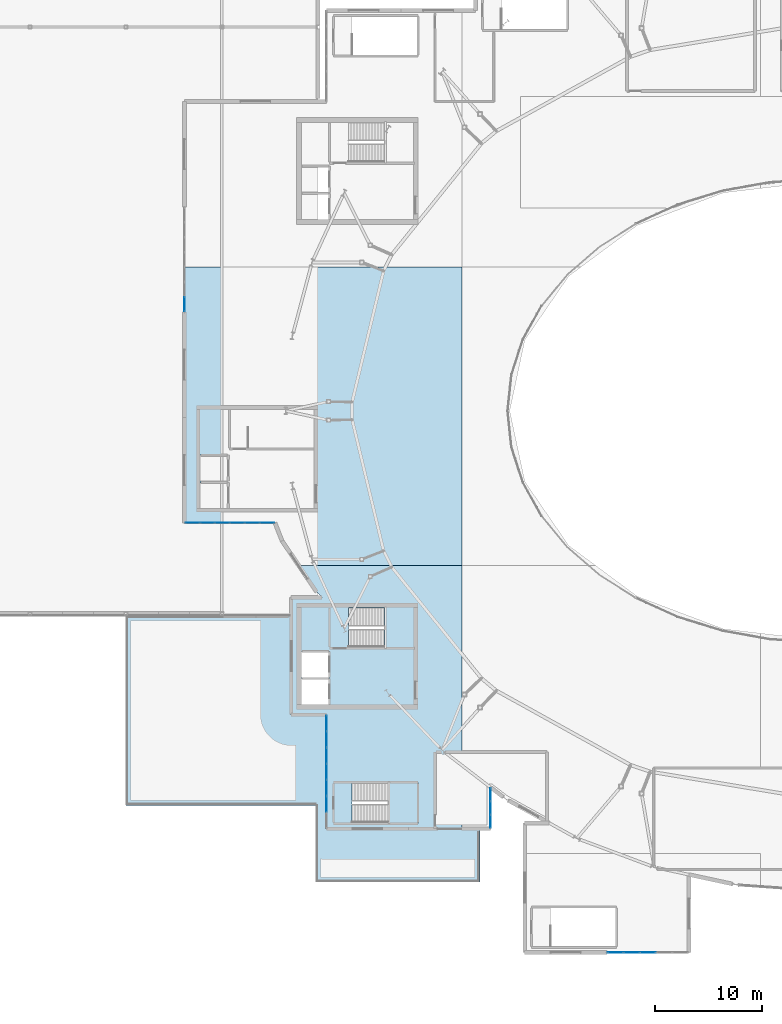
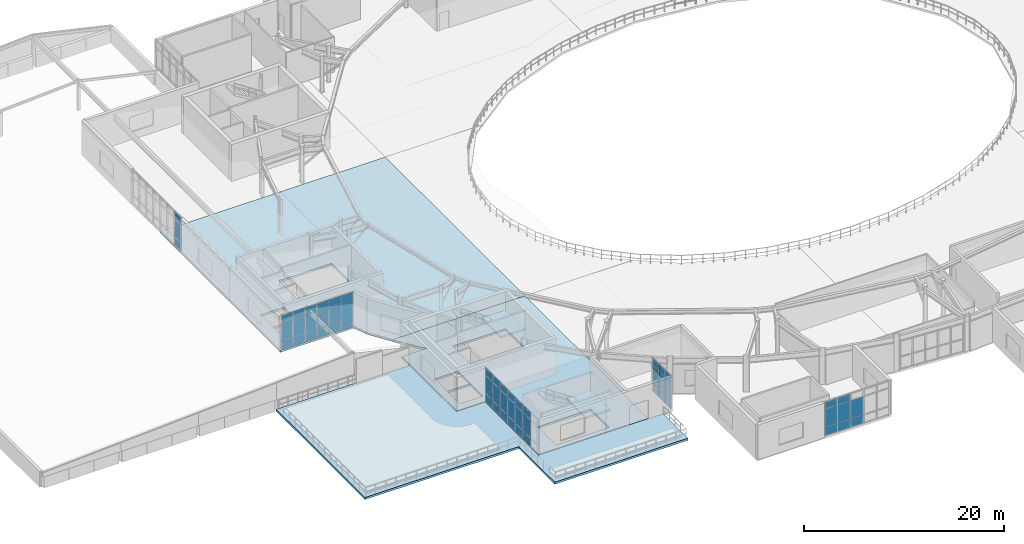
# One storey, part 31 of 48: 56 plates, 5 slabs, 7 elements without a shape of their own.
"""IFC4 building model written with IfcOpenShell, lengths in metres."""

from ifc_helpers import new_model, si_unit, direction, frame, origin, origin_2d, place, context, subcontext, project, spatial, polyline, rectangle, outline, extrude, material, layer, layer_set, type_object, element, aggregate, save


model = new_model("IFC4")

# Units and contexts
model_context = context("Model", 3, precision=1e-05, world=origin(), true_north=direction((0.0, 1.0)))
body_context = subcontext(model_context, "Body", "Model", "MODEL_VIEW")
ifc_project = project(units=[si_unit("LENGTHUNIT", "METRE"), si_unit("AREAUNIT", "SQUARE_METRE"), si_unit("VOLUMEUNIT", "CUBIC_METRE"), si_unit("PLANEANGLEUNIT", "RADIAN"), si_unit("MASSUNIT", "GRAM", prefix="KILO")], contexts=[model_context])

# Site, building, storey
site_placement = place(None, origin())
site = spatial("IfcSite", under=ifc_project, at=site_placement, CompositionType="ELEMENT")
building_placement = place(site_placement, origin())
building = spatial("IfcBuilding", under=site, at=building_placement, Name="Glasvene Arena", CompositionType="ELEMENT")
storey_placement = place(building_placement, frame((0.0, 0.0, 19.5)))
storey = spatial("IfcBuildingStorey", under=building, at=storey_placement, Name="L04", CompositionType="ELEMENT", Elevation=19.5)

# Curtain wall, plates
ifc_material_1 = material(Name="Low-emissivity laminated double glazing", Category="glass")
curtain_wall_type_1 = type_object("IfcCurtainWallType", Name="CW-FAC-L03-380x419", PredefinedType="USERDEFINED", material=ifc_material_1)
curtain_wall_1_placement = place(storey_placement, frame((61.199951171875, 37.638671875, 0.0)))
curtain_wall_1 = element("IfcCurtainWall", 1, at=curtain_wall_1_placement, inside=storey, type_object=curtain_wall_type_1, Name="Unitised curtain wall CW-F-L04-180-612-357-1", ObjectType="CURTAIN WALL", PredefinedType="USERDEFINED")
ifc_layer_1 = layer(ifc_material_1, 0.028076171875)
ifc_layer_set_1 = layer_set([ifc_layer_1], Name="Low-emissivity laminated double glazing")
plate_type = type_object("IfcPlateType", Name="CW-GLZ-28", PredefinedType="CURTAIN_PANEL", material=ifc_layer_set_1)
plate_1_placement = place(storey_placement, frame((61.199951171875, 36.992919921875, 0.10986328125), z_axis=(0.0, 0.0, 1.0), x_axis=(0.0, -1.0, 0.0)))
plate_1 = element("IfcPlate", 2, at=plate_1_placement, type_object=plate_type, Name="CW-044 panel 1.1", PredefinedType="CURTAIN_PANEL", context=body_context, shape_type="SweptSolid", body=[
    extrude(rectangle(XDim=1.191162109375, YDim=0.028076171875, at=origin_2d()), origin(), (0.0, 0.0, 1.0), 0.965087890625),
])
plate_2_placement = place(storey_placement, frame((61.199951171875, 36.992919921875, 1.125), z_axis=(0.0, 0.0, 1.0), x_axis=(0.0, -1.0, 0.0)))
plate_2 = element("IfcPlate", 3, at=plate_2_placement, type_object=plate_type, Name="CW-044 panel 1.2", PredefinedType="CURTAIN_PANEL", context=body_context, shape_type="SweptSolid", body=[
    extrude(rectangle(XDim=1.191162109375, YDim=0.028076171875, at=origin_2d()), origin(), (0.0, 0.0, 1.0), 2.199951171875),
])
plate_3_placement = place(storey_placement, frame((61.199951171875, 36.992919921875, 3.375), z_axis=(0.0, 0.0, 1.0), x_axis=(0.0, -1.0, 0.0)))
plate_3 = element("IfcPlate", 4, at=plate_3_placement, type_object=plate_type, Name="CW-044 panel 1.3", PredefinedType="CURTAIN_PANEL", context=body_context, shape_type="SweptSolid", body=[
    extrude(rectangle(XDim=1.191162109375, YDim=0.028076171875, at=origin_2d()), origin(), (0.0, 0.0, 1.0), 0.824951171875),
])
plate_4_placement = place(storey_placement, frame((61.199951171875, 35.7392578125, 0.10986328125), z_axis=(0.0, 0.0, 1.0), x_axis=(0.0, -1.0, 0.0)))
plate_4 = element("IfcPlate", 5, at=plate_4_placement, type_object=plate_type, Name="CW-044 panel 2.1", PredefinedType="CURTAIN_PANEL", context=body_context, shape_type="SweptSolid", body=[
    extrude(rectangle(XDim=1.21630859375, YDim=0.028076171875, at=origin_2d()), origin(), (0.0, 0.0, 1.0), 0.965087890625),
])
plate_5_placement = place(storey_placement, frame((61.199951171875, 35.7392578125, 1.125), z_axis=(0.0, 0.0, 1.0), x_axis=(0.0, -1.0, 0.0)))
plate_5 = element("IfcPlate", 6, at=plate_5_placement, type_object=plate_type, Name="CW-044 panel 2.2", PredefinedType="CURTAIN_PANEL", context=body_context, shape_type="SweptSolid", body=[
    extrude(rectangle(XDim=1.21630859375, YDim=0.028076171875, at=origin_2d()), origin(), (0.0, 0.0, 1.0), 2.199951171875),
])
plate_6_placement = place(storey_placement, frame((61.199951171875, 35.7392578125, 3.375), z_axis=(0.0, 0.0, 1.0), x_axis=(0.0, -1.0, 0.0)))
plate_6 = element("IfcPlate", 7, at=plate_6_placement, type_object=plate_type, Name="CW-044 panel 2.3", PredefinedType="CURTAIN_PANEL", context=body_context, shape_type="SweptSolid", body=[
    extrude(rectangle(XDim=1.21630859375, YDim=0.028076171875, at=origin_2d()), origin(), (0.0, 0.0, 1.0), 0.824951171875),
])
plate_7_placement = place(storey_placement, frame((61.199951171875, 34.485595703125, 0.10986328125), z_axis=(0.0, 0.0, 1.0), x_axis=(0.0, -1.0, 0.0)))
plate_7 = element("IfcPlate", 8, at=plate_7_placement, type_object=plate_type, Name="CW-044 panel 3.1", PredefinedType="CURTAIN_PANEL", context=body_context, shape_type="SweptSolid", body=[
    extrude(rectangle(XDim=1.191162109375, YDim=0.028076171875, at=origin_2d()), origin(), (0.0, 0.0, 1.0), 0.965087890625),
])
plate_8_placement = place(storey_placement, frame((61.199951171875, 34.485595703125, 1.125), z_axis=(0.0, 0.0, 1.0), x_axis=(0.0, -1.0, 0.0)))
plate_8 = element("IfcPlate", 9, at=plate_8_placement, type_object=plate_type, Name="CW-044 panel 3.2", PredefinedType="CURTAIN_PANEL", context=body_context, shape_type="SweptSolid", body=[
    extrude(rectangle(XDim=1.191162109375, YDim=0.028076171875, at=origin_2d()), origin(), (0.0, 0.0, 1.0), 2.199951171875),
])
plate_9_placement = place(storey_placement, frame((61.199951171875, 34.485595703125, 3.375), z_axis=(0.0, 0.0, 1.0), x_axis=(0.0, -1.0, 0.0)))
plate_9 = element("IfcPlate", 10, at=plate_9_placement, type_object=plate_type, Name="CW-044 panel 3.3", PredefinedType="CURTAIN_PANEL", context=body_context, shape_type="SweptSolid", body=[
    extrude(rectangle(XDim=1.191162109375, YDim=0.028076171875, at=origin_2d()), origin(), (0.0, 0.0, 1.0), 0.824951171875),
])
aggregate(curtain_wall_1, [plate_1, plate_2, plate_3, plate_4, plate_5, plate_6, plate_7, plate_8, plate_9])

curtain_wall_type_2 = type_object("IfcCurtainWallType", Name="CW-FAC-L03-1062x419", PredefinedType="USERDEFINED", material=ifc_material_1)
curtain_wall_2_placement = place(storey_placement, frame((45.800048828125, 33.840087890625, 0.0)))
curtain_wall_2 = element("IfcCurtainWall", 11, at=curtain_wall_2_placement, inside=storey, type_object=curtain_wall_type_2, Name="Unitised curtain wall CW-F-L04-180-458-392-4", ObjectType="CURTAIN WALL", PredefinedType="USERDEFINED")
plate_10_placement = place(storey_placement, frame((45.800048828125, 36.11572265625, 0.10986328125), z_axis=(0.0, 0.0, 1.0), x_axis=(0.0, 1.0, 0.0)))
plate_10 = element("IfcPlate", 12, at=plate_10_placement, type_object=plate_type, Name="CW-040 panel 2.1", PredefinedType="CURTAIN_PANEL", context=body_context, shape_type="SweptSolid", body=[
    extrude(rectangle(XDim=1.467041015625, YDim=0.028076171875, at=origin_2d()), origin(), (0.0, 0.0, 1.0), 0.965087890625),
])
plate_11_placement = place(storey_placement, frame((45.800048828125, 36.11572265625, 1.125), z_axis=(0.0, 0.0, 1.0), x_axis=(0.0, 1.0, 0.0)))
plate_11 = element("IfcPlate", 13, at=plate_11_placement, type_object=plate_type, Name="CW-040 panel 2.2", PredefinedType="CURTAIN_PANEL", context=body_context, shape_type="SweptSolid", body=[
    extrude(rectangle(XDim=1.467041015625, YDim=0.028076171875, at=origin_2d()), origin(), (0.0, 0.0, 1.0), 2.199951171875),
])
plate_12_placement = place(storey_placement, frame((45.800048828125, 36.11572265625, 3.375), z_axis=(0.0, 0.0, 1.0), x_axis=(0.0, 1.0, 0.0)))
plate_12 = element("IfcPlate", 14, at=plate_12_placement, type_object=plate_type, Name="CW-040 panel 2.3", PredefinedType="CURTAIN_PANEL", context=body_context, shape_type="SweptSolid", body=[
    extrude(rectangle(XDim=1.467041015625, YDim=0.028076171875, at=origin_2d()), origin(), (0.0, 0.0, 1.0), 0.824951171875),
])
plate_13_placement = place(storey_placement, frame((45.800048828125, 37.6328125, 0.10986328125), z_axis=(0.0, 0.0, 1.0), x_axis=(0.0, 1.0, 0.0)))
plate_13 = element("IfcPlate", 15, at=plate_13_placement, type_object=plate_type, Name="CW-040 panel 3.1", PredefinedType="CURTAIN_PANEL", context=body_context, shape_type="SweptSolid", body=[
    extrude(rectangle(XDim=1.467041015625, YDim=0.028076171875, at=origin_2d()), origin(), (0.0, 0.0, 1.0), 0.965087890625),
])
plate_14_placement = place(storey_placement, frame((45.800048828125, 37.6328125, 1.125), z_axis=(0.0, 0.0, 1.0), x_axis=(0.0, 1.0, 0.0)))
plate_14 = element("IfcPlate", 16, at=plate_14_placement, type_object=plate_type, Name="CW-040 panel 3.2", PredefinedType="CURTAIN_PANEL", context=body_context, shape_type="SweptSolid", body=[
    extrude(rectangle(XDim=1.467041015625, YDim=0.028076171875, at=origin_2d()), origin(), (0.0, 0.0, 1.0), 2.199951171875),
])
plate_15_placement = place(storey_placement, frame((45.800048828125, 37.6328125, 3.375), z_axis=(0.0, 0.0, 1.0), x_axis=(0.0, 1.0, 0.0)))
plate_15 = element("IfcPlate", 17, at=plate_15_placement, type_object=plate_type, Name="CW-040 panel 3.3", PredefinedType="CURTAIN_PANEL", context=body_context, shape_type="SweptSolid", body=[
    extrude(rectangle(XDim=1.467041015625, YDim=0.028076171875, at=origin_2d()), origin(), (0.0, 0.0, 1.0), 0.824951171875),
])
plate_16_placement = place(storey_placement, frame((45.800048828125, 39.14990234375, 0.10986328125), z_axis=(0.0, 0.0, 1.0), x_axis=(0.0, 1.0, 0.0)))
plate_16 = element("IfcPlate", 18, at=plate_16_placement, type_object=plate_type, Name="CW-040 panel 4.1", PredefinedType="CURTAIN_PANEL", context=body_context, shape_type="SweptSolid", body=[
    extrude(rectangle(XDim=1.467041015625, YDim=0.028076171875, at=origin_2d()), origin(), (0.0, 0.0, 1.0), 0.965087890625),
])
plate_17_placement = place(storey_placement, frame((45.800048828125, 39.14990234375, 1.125), z_axis=(0.0, 0.0, 1.0), x_axis=(0.0, 1.0, 0.0)))
plate_17 = element("IfcPlate", 19, at=plate_17_placement, type_object=plate_type, Name="CW-040 panel 4.2", PredefinedType="CURTAIN_PANEL", context=body_context, shape_type="SweptSolid", body=[
    extrude(rectangle(XDim=1.467041015625, YDim=0.028076171875, at=origin_2d()), origin(), (0.0, 0.0, 1.0), 2.199951171875),
])
plate_18_placement = place(storey_placement, frame((45.800048828125, 39.14990234375, 3.375), z_axis=(0.0, 0.0, 1.0), x_axis=(0.0, 1.0, 0.0)))
plate_18 = element("IfcPlate", 20, at=plate_18_placement, type_object=plate_type, Name="CW-040 panel 4.3", PredefinedType="CURTAIN_PANEL", context=body_context, shape_type="SweptSolid", body=[
    extrude(rectangle(XDim=1.467041015625, YDim=0.028076171875, at=origin_2d()), origin(), (0.0, 0.0, 1.0), 0.824951171875),
])
plate_19_placement = place(storey_placement, frame((45.800048828125, 40.667236328125, 0.10986328125), z_axis=(0.0, 0.0, 1.0), x_axis=(0.0, 1.0, 0.0)))
plate_19 = element("IfcPlate", 21, at=plate_19_placement, type_object=plate_type, Name="CW-040 panel 5.1", PredefinedType="CURTAIN_PANEL", context=body_context, shape_type="SweptSolid", body=[
    extrude(rectangle(XDim=1.467041015625, YDim=0.028076171875, at=origin_2d()), origin(), (0.0, 0.0, 1.0), 0.965087890625),
])
plate_20_placement = place(storey_placement, frame((45.800048828125, 40.667236328125, 1.125), z_axis=(0.0, 0.0, 1.0), x_axis=(0.0, 1.0, 0.0)))
plate_20 = element("IfcPlate", 22, at=plate_20_placement, type_object=plate_type, Name="CW-040 panel 5.2", PredefinedType="CURTAIN_PANEL", context=body_context, shape_type="SweptSolid", body=[
    extrude(rectangle(XDim=1.467041015625, YDim=0.028076171875, at=origin_2d()), origin(), (0.0, 0.0, 1.0), 2.199951171875),
])
plate_21_placement = place(storey_placement, frame((45.800048828125, 40.667236328125, 3.375), z_axis=(0.0, 0.0, 1.0), x_axis=(0.0, 1.0, 0.0)))
plate_21 = element("IfcPlate", 23, at=plate_21_placement, type_object=plate_type, Name="CW-040 panel 5.3", PredefinedType="CURTAIN_PANEL", context=body_context, shape_type="SweptSolid", body=[
    extrude(rectangle(XDim=1.467041015625, YDim=0.028076171875, at=origin_2d()), origin(), (0.0, 0.0, 1.0), 0.824951171875),
])
plate_22_placement = place(storey_placement, frame((45.800048828125, 42.184326171875, 0.10986328125), z_axis=(0.0, 0.0, 1.0), x_axis=(0.0, 1.0, 0.0)))
plate_22 = element("IfcPlate", 24, at=plate_22_placement, type_object=plate_type, Name="CW-040 panel 6.1", PredefinedType="CURTAIN_PANEL", context=body_context, shape_type="SweptSolid", body=[
    extrude(rectangle(XDim=1.467041015625, YDim=0.028076171875, at=origin_2d()), origin(), (0.0, 0.0, 1.0), 0.965087890625),
])
plate_23_placement = place(storey_placement, frame((45.800048828125, 42.184326171875, 1.125), z_axis=(0.0, 0.0, 1.0), x_axis=(0.0, 1.0, 0.0)))
plate_23 = element("IfcPlate", 25, at=plate_23_placement, type_object=plate_type, Name="CW-040 panel 6.2", PredefinedType="CURTAIN_PANEL", context=body_context, shape_type="SweptSolid", body=[
    extrude(rectangle(XDim=1.467041015625, YDim=0.028076171875, at=origin_2d()), origin(), (0.0, 0.0, 1.0), 2.199951171875),
])
plate_24_placement = place(storey_placement, frame((45.800048828125, 42.184326171875, 3.375), z_axis=(0.0, 0.0, 1.0), x_axis=(0.0, 1.0, 0.0)))
plate_24 = element("IfcPlate", 26, at=plate_24_placement, type_object=plate_type, Name="CW-040 panel 6.3", PredefinedType="CURTAIN_PANEL", context=body_context, shape_type="SweptSolid", body=[
    extrude(rectangle(XDim=1.467041015625, YDim=0.028076171875, at=origin_2d()), origin(), (0.0, 0.0, 1.0), 0.824951171875),
])
plate_25_placement = place(storey_placement, frame((45.800048828125, 43.68896484375, 0.10986328125), z_axis=(0.0, 0.0, 1.0), x_axis=(0.0, 1.0, 0.0)))
plate_25 = element("IfcPlate", 27, at=plate_25_placement, type_object=plate_type, Name="CW-040 panel 7.1", PredefinedType="CURTAIN_PANEL", context=body_context, shape_type="SweptSolid", body=[
    extrude(rectangle(XDim=1.442138671875, YDim=0.028076171875, at=origin_2d()), origin(), (0.0, 0.0, 1.0), 0.965087890625),
])
plate_26_placement = place(storey_placement, frame((45.800048828125, 43.68896484375, 1.125), z_axis=(0.0, 0.0, 1.0), x_axis=(0.0, 1.0, 0.0)))
plate_26 = element("IfcPlate", 28, at=plate_26_placement, type_object=plate_type, Name="CW-040 panel 7.2", PredefinedType="CURTAIN_PANEL", context=body_context, shape_type="SweptSolid", body=[
    extrude(rectangle(XDim=1.442138671875, YDim=0.028076171875, at=origin_2d()), origin(), (0.0, 0.0, 1.0), 2.199951171875),
])
plate_27_placement = place(storey_placement, frame((45.800048828125, 43.68896484375, 3.375), z_axis=(0.0, 0.0, 1.0), x_axis=(0.0, 1.0, 0.0)))
plate_27 = element("IfcPlate", 29, at=plate_27_placement, type_object=plate_type, Name="CW-040 panel 7.3", PredefinedType="CURTAIN_PANEL", context=body_context, shape_type="SweptSolid", body=[
    extrude(rectangle(XDim=1.442138671875, YDim=0.028076171875, at=origin_2d()), origin(), (0.0, 0.0, 1.0), 0.824951171875),
])
aggregate(curtain_wall_2, [plate_10, plate_11, plate_12, plate_13, plate_14, plate_15, plate_16, plate_17, plate_18, plate_19, plate_20, plate_21, plate_22, plate_23, plate_24, plate_25, plate_26, plate_27])

curtain_wall_type_3 = type_object("IfcCurtainWallType", Name="CW-FAC-L04-840x419", PredefinedType="USERDEFINED", material=ifc_material_1)
curtain_wall_3_placement = place(storey_placement, frame((40.93603515625, 62.5, 0.0)))
curtain_wall_3 = element("IfcCurtainWall", 30, at=curtain_wall_3_placement, inside=storey, type_object=curtain_wall_type_3, Name="Unitised curtain wall CW-F-L04-180-367-625-10", ObjectType="CURTAIN WALL", PredefinedType="USERDEFINED")
plate_28_placement = place(storey_placement, frame((40.223876953125, 62.5, 0.10986328125), z_axis=(0.0, 0.0, 1.0), x_axis=(-1.0, 0.0, 0.0)))
plate_28 = element("IfcPlate", 31, at=plate_28_placement, type_object=plate_type, Name="CW-046 panel 1.1", PredefinedType="CURTAIN_PANEL", context=body_context, shape_type="SweptSolid", body=[
    extrude(rectangle(XDim=1.32421875, YDim=0.028076171875, at=origin_2d()), origin(), (0.0, 0.0, 1.0), 0.965087890625),
])
plate_29_placement = place(storey_placement, frame((40.223876953125, 62.5, 1.125), z_axis=(0.0, 0.0, 1.0), x_axis=(-1.0, 0.0, 0.0)))
plate_29 = element("IfcPlate", 32, at=plate_29_placement, type_object=plate_type, Name="CW-046 panel 1.2", PredefinedType="CURTAIN_PANEL", context=body_context, shape_type="SweptSolid", body=[
    extrude(rectangle(XDim=1.32421875, YDim=0.028076171875, at=origin_2d()), origin(), (0.0, 0.0, 1.0), 2.199951171875),
])
plate_30_placement = place(storey_placement, frame((40.223876953125, 62.5, 3.375), z_axis=(0.0, 0.0, 1.0), x_axis=(-1.0, 0.0, 0.0)))
plate_30 = element("IfcPlate", 33, at=plate_30_placement, type_object=plate_type, Name="CW-046 panel 1.3", PredefinedType="CURTAIN_PANEL", context=body_context, shape_type="SweptSolid", body=[
    extrude(rectangle(XDim=1.32421875, YDim=0.028076171875, at=origin_2d()), origin(), (0.0, 0.0, 1.0), 0.824951171875),
])
plate_31_placement = place(storey_placement, frame((38.8369140625, 62.5, 0.10986328125), z_axis=(0.0, 0.0, 1.0), x_axis=(-1.0, 0.0, 0.0)))
plate_31 = element("IfcPlate", 34, at=plate_31_placement, type_object=plate_type, Name="CW-046 panel 2.1", PredefinedType="CURTAIN_PANEL", context=body_context, shape_type="SweptSolid", body=[
    extrude(rectangle(XDim=1.349365234375, YDim=0.028076171875, at=origin_2d()), origin(), (0.0, 0.0, 1.0), 0.965087890625),
])
plate_32_placement = place(storey_placement, frame((38.8369140625, 62.5, 1.125), z_axis=(0.0, 0.0, 1.0), x_axis=(-1.0, 0.0, 0.0)))
plate_32 = element("IfcPlate", 35, at=plate_32_placement, type_object=plate_type, Name="CW-046 panel 2.2", PredefinedType="CURTAIN_PANEL", context=body_context, shape_type="SweptSolid", body=[
    extrude(rectangle(XDim=1.349365234375, YDim=0.028076171875, at=origin_2d()), origin(), (0.0, 0.0, 1.0), 2.199951171875),
])
plate_33_placement = place(storey_placement, frame((38.8369140625, 62.5, 3.375), z_axis=(0.0, 0.0, 1.0), x_axis=(-1.0, 0.0, 0.0)))
plate_33 = element("IfcPlate", 36, at=plate_33_placement, type_object=plate_type, Name="CW-046 panel 2.3", PredefinedType="CURTAIN_PANEL", context=body_context, shape_type="SweptSolid", body=[
    extrude(rectangle(XDim=1.349365234375, YDim=0.028076171875, at=origin_2d()), origin(), (0.0, 0.0, 1.0), 0.824951171875),
])
plate_34_placement = place(storey_placement, frame((37.437744140625, 62.5, 0.10986328125), z_axis=(0.0, 0.0, 1.0), x_axis=(-1.0, 0.0, 0.0)))
plate_34 = element("IfcPlate", 37, at=plate_34_placement, type_object=plate_type, Name="CW-046 panel 3.1", PredefinedType="CURTAIN_PANEL", context=body_context, shape_type="SweptSolid", body=[
    extrude(rectangle(XDim=1.349365234375, YDim=0.028076171875, at=origin_2d()), origin(), (0.0, 0.0, 1.0), 0.965087890625),
])
plate_35_placement = place(storey_placement, frame((37.437744140625, 62.5, 1.125), z_axis=(0.0, 0.0, 1.0), x_axis=(-1.0, 0.0, 0.0)))
plate_35 = element("IfcPlate", 38, at=plate_35_placement, type_object=plate_type, Name="CW-046 panel 3.2", PredefinedType="CURTAIN_PANEL", context=body_context, shape_type="SweptSolid", body=[
    extrude(rectangle(XDim=1.349365234375, YDim=0.028076171875, at=origin_2d()), origin(), (0.0, 0.0, 1.0), 2.199951171875),
])
plate_36_placement = place(storey_placement, frame((37.437744140625, 62.5, 3.375), z_axis=(0.0, 0.0, 1.0), x_axis=(-1.0, 0.0, 0.0)))
plate_36 = element("IfcPlate", 39, at=plate_36_placement, type_object=plate_type, Name="CW-046 panel 3.3", PredefinedType="CURTAIN_PANEL", context=body_context, shape_type="SweptSolid", body=[
    extrude(rectangle(XDim=1.349365234375, YDim=0.028076171875, at=origin_2d()), origin(), (0.0, 0.0, 1.0), 0.824951171875),
])
plate_37_placement = place(storey_placement, frame((36.038330078125, 62.5, 0.10986328125), z_axis=(0.0, 0.0, 1.0), x_axis=(-1.0, 0.0, 0.0)))
plate_37 = element("IfcPlate", 40, at=plate_37_placement, type_object=plate_type, Name="CW-046 panel 4.1", PredefinedType="CURTAIN_PANEL", context=body_context, shape_type="SweptSolid", body=[
    extrude(rectangle(XDim=1.349365234375, YDim=0.028076171875, at=origin_2d()), origin(), (0.0, 0.0, 1.0), 0.965087890625),
])
plate_38_placement = place(storey_placement, frame((36.038330078125, 62.5, 1.125), z_axis=(0.0, 0.0, 1.0), x_axis=(-1.0, 0.0, 0.0)))
plate_38 = element("IfcPlate", 41, at=plate_38_placement, type_object=plate_type, Name="CW-046 panel 4.2", PredefinedType="CURTAIN_PANEL", context=body_context, shape_type="SweptSolid", body=[
    extrude(rectangle(XDim=1.349365234375, YDim=0.028076171875, at=origin_2d()), origin(), (0.0, 0.0, 1.0), 2.199951171875),
])
plate_39_placement = place(storey_placement, frame((36.038330078125, 62.5, 3.375), z_axis=(0.0, 0.0, 1.0), x_axis=(-1.0, 0.0, 0.0)))
plate_39 = element("IfcPlate", 42, at=plate_39_placement, type_object=plate_type, Name="CW-046 panel 4.3", PredefinedType="CURTAIN_PANEL", context=body_context, shape_type="SweptSolid", body=[
    extrude(rectangle(XDim=1.349365234375, YDim=0.028076171875, at=origin_2d()), origin(), (0.0, 0.0, 1.0), 0.824951171875),
])
plate_40_placement = place(storey_placement, frame((34.638916015625, 62.5, 0.10986328125), z_axis=(0.0, 0.0, 1.0), x_axis=(-1.0, 0.0, 0.0)))
plate_40 = element("IfcPlate", 43, at=plate_40_placement, type_object=plate_type, Name="CW-046 panel 5.1", PredefinedType="CURTAIN_PANEL", context=body_context, shape_type="SweptSolid", body=[
    extrude(rectangle(XDim=1.349365234375, YDim=0.028076171875, at=origin_2d()), origin(), (0.0, 0.0, 1.0), 0.965087890625),
])
plate_41_placement = place(storey_placement, frame((34.638916015625, 62.5, 1.125), z_axis=(0.0, 0.0, 1.0), x_axis=(-1.0, 0.0, 0.0)))
plate_41 = element("IfcPlate", 44, at=plate_41_placement, type_object=plate_type, Name="CW-046 panel 5.2", PredefinedType="CURTAIN_PANEL", context=body_context, shape_type="SweptSolid", body=[
    extrude(rectangle(XDim=1.349365234375, YDim=0.028076171875, at=origin_2d()), origin(), (0.0, 0.0, 1.0), 2.199951171875),
])
plate_42_placement = place(storey_placement, frame((34.638916015625, 62.5, 3.375), z_axis=(0.0, 0.0, 1.0), x_axis=(-1.0, 0.0, 0.0)))
plate_42 = element("IfcPlate", 45, at=plate_42_placement, type_object=plate_type, Name="CW-046 panel 5.3", PredefinedType="CURTAIN_PANEL", context=body_context, shape_type="SweptSolid", body=[
    extrude(rectangle(XDim=1.349365234375, YDim=0.028076171875, at=origin_2d()), origin(), (0.0, 0.0, 1.0), 0.824951171875),
])
plate_43_placement = place(storey_placement, frame((33.252197265625, 62.5, 0.10986328125), z_axis=(0.0, 0.0, 1.0), x_axis=(-1.0, 0.0, 0.0)))
plate_43 = element("IfcPlate", 46, at=plate_43_placement, type_object=plate_type, Name="CW-046 panel 6.1", PredefinedType="CURTAIN_PANEL", context=body_context, shape_type="SweptSolid", body=[
    extrude(rectangle(XDim=1.32421875, YDim=0.028076171875, at=origin_2d()), origin(), (0.0, 0.0, 1.0), 0.965087890625),
])
plate_44_placement = place(storey_placement, frame((33.252197265625, 62.5, 1.125), z_axis=(0.0, 0.0, 1.0), x_axis=(-1.0, 0.0, 0.0)))
plate_44 = element("IfcPlate", 47, at=plate_44_placement, type_object=plate_type, Name="CW-046 panel 6.2", PredefinedType="CURTAIN_PANEL", context=body_context, shape_type="SweptSolid", body=[
    extrude(rectangle(XDim=1.32421875, YDim=0.028076171875, at=origin_2d()), origin(), (0.0, 0.0, 1.0), 2.199951171875),
])
plate_45_placement = place(storey_placement, frame((33.252197265625, 62.5, 3.375), z_axis=(0.0, 0.0, 1.0), x_axis=(-1.0, 0.0, 0.0)))
plate_45 = element("IfcPlate", 48, at=plate_45_placement, type_object=plate_type, Name="CW-046 panel 6.3", PredefinedType="CURTAIN_PANEL", context=body_context, shape_type="SweptSolid", body=[
    extrude(rectangle(XDim=1.32421875, YDim=0.028076171875, at=origin_2d()), origin(), (0.0, 0.0, 1.0), 0.824951171875),
])
aggregate(curtain_wall_3, [plate_28, plate_29, plate_30, plate_31, plate_32, plate_33, plate_34, plate_35, plate_36, plate_37, plate_38, plate_39, plate_40, plate_41, plate_42, plate_43, plate_44, plate_45])

curtain_wall_type_4 = type_object("IfcCurtainWallType", Name="CW-FAC-L04-980x419", PredefinedType="USERDEFINED", material=ifc_material_1)
curtain_wall_4_placement = place(storey_placement, frame((32.5, 82.2900390625, 0.0)))
curtain_wall_4 = element("IfcCurtainWall", 49, at=curtain_wall_4_placement, inside=storey, type_object=curtain_wall_type_4, Name="Unitised curtain wall CW-F-L04-180-325-872-13", ObjectType="CURTAIN WALL", PredefinedType="USERDEFINED")
plate_46_placement = place(storey_placement, frame((32.5, 83.002197265625, 0.10986328125), z_axis=(0.0, 0.0, 1.0), x_axis=(0.0, 1.0, 0.0)))
plate_46 = element("IfcPlate", 50, at=plate_46_placement, type_object=plate_type, Name="CW-047 panel 1.1", PredefinedType="CURTAIN_PANEL", context=body_context, shape_type="SweptSolid", body=[
    extrude(rectangle(XDim=1.32421875, YDim=0.028076171875, at=origin_2d()), origin(), (0.0, 0.0, 1.0), 0.965087890625),
])
plate_47_placement = place(storey_placement, frame((32.5, 83.002197265625, 1.125), z_axis=(0.0, 0.0, 1.0), x_axis=(0.0, 1.0, 0.0)))
plate_47 = element("IfcPlate", 51, at=plate_47_placement, type_object=plate_type, Name="CW-047 panel 1.2", PredefinedType="CURTAIN_PANEL", context=body_context, shape_type="SweptSolid", body=[
    extrude(rectangle(XDim=1.32421875, YDim=0.028076171875, at=origin_2d()), origin(), (0.0, 0.0, 1.0), 2.199951171875),
])
plate_48_placement = place(storey_placement, frame((32.5, 83.002197265625, 3.375), z_axis=(0.0, 0.0, 1.0), x_axis=(0.0, 1.0, 0.0)))
plate_48 = element("IfcPlate", 52, at=plate_48_placement, type_object=plate_type, Name="CW-047 panel 1.3", PredefinedType="CURTAIN_PANEL", context=body_context, shape_type="SweptSolid", body=[
    extrude(rectangle(XDim=1.32421875, YDim=0.028076171875, at=origin_2d()), origin(), (0.0, 0.0, 1.0), 0.824951171875),
])
aggregate(curtain_wall_4, [plate_46, plate_47, plate_48])

curtain_wall_type_5 = type_object("IfcCurtainWallType", Name="CW-FAC-L03-762x419", PredefinedType="USERDEFINED", material=ifc_material_1)
curtain_wall_5_placement = place(storey_placement, frame((79.760009765625, 22.199951171875, 0.0)))
curtain_wall_5 = element("IfcCurtainWall", 53, at=curtain_wall_5_placement, inside=storey, type_object=curtain_wall_type_5, Name="Unitised curtain wall CW-F-L04-180-759-222-61", ObjectType="CURTAIN WALL", PredefinedType="USERDEFINED")
plate_49_placement = place(storey_placement, frame((75.949951171875, 22.199951171875, 0.10986328125), z_axis=(0.0, 0.0, 1.0), x_axis=(-1.0, 0.0, 0.0)))
plate_49 = element("IfcPlate", 54, at=plate_49_placement, type_object=plate_type, Name="CW-043 panel 3.1", PredefinedType="CURTAIN_PANEL", context=body_context, shape_type="SweptSolid", body=[
    extrude(rectangle(XDim=1.47412109375, YDim=0.028076171875, at=origin_2d()), origin(), (0.0, 0.0, 1.0), 0.965087890625),
])
plate_50_placement = place(storey_placement, frame((75.949951171875, 22.199951171875, 1.125), z_axis=(0.0, 0.0, 1.0), x_axis=(-1.0, 0.0, 0.0)))
plate_50 = element("IfcPlate", 55, at=plate_50_placement, type_object=plate_type, Name="CW-043 panel 3.2", PredefinedType="CURTAIN_PANEL", context=body_context, shape_type="SweptSolid", body=[
    extrude(rectangle(XDim=1.47412109375, YDim=0.028076171875, at=origin_2d()), origin(), (0.0, 0.0, 1.0), 2.199951171875),
])
plate_51_placement = place(storey_placement, frame((74.426025390625, 22.199951171875, 0.10986328125), z_axis=(0.0, 0.0, 1.0), x_axis=(-1.0, 0.0, 0.0)))
plate_51 = element("IfcPlate", 56, at=plate_51_placement, type_object=plate_type, Name="CW-043 panel 4.1", PredefinedType="CURTAIN_PANEL", context=body_context, shape_type="SweptSolid", body=[
    extrude(rectangle(XDim=1.47412109375, YDim=0.028076171875, at=origin_2d()), origin(), (0.0, 0.0, 1.0), 0.965087890625),
])
plate_52_placement = place(storey_placement, frame((74.426025390625, 22.199951171875, 1.125), z_axis=(0.0, 0.0, 1.0), x_axis=(-1.0, 0.0, 0.0)))
plate_52 = element("IfcPlate", 57, at=plate_52_placement, type_object=plate_type, Name="CW-043 panel 4.2", PredefinedType="CURTAIN_PANEL", context=body_context, shape_type="SweptSolid", body=[
    extrude(rectangle(XDim=1.47412109375, YDim=0.028076171875, at=origin_2d()), origin(), (0.0, 0.0, 1.0), 2.199951171875),
])
plate_53_placement = place(storey_placement, frame((74.426025390625, 22.199951171875, 3.375), z_axis=(0.0, 0.0, 1.0), x_axis=(-1.0, 0.0, 0.0)))
plate_53 = element("IfcPlate", 58, at=plate_53_placement, type_object=plate_type, Name="CW-043 panel 4.3", PredefinedType="CURTAIN_PANEL", context=body_context, shape_type="SweptSolid", body=[
    extrude(rectangle(XDim=1.47412109375, YDim=0.028076171875, at=origin_2d()), origin(), (0.0, 0.0, 1.0), 0.824951171875),
])
plate_54_placement = place(storey_placement, frame((72.91455078125, 22.199951171875, 0.10986328125), z_axis=(0.0, 0.0, 1.0), x_axis=(-1.0, 0.0, 0.0)))
plate_54 = element("IfcPlate", 59, at=plate_54_placement, type_object=plate_type, Name="CW-043 panel 5.1", PredefinedType="CURTAIN_PANEL", context=body_context, shape_type="SweptSolid", body=[
    extrude(rectangle(XDim=1.448974609375, YDim=0.028076171875, at=origin_2d()), origin(), (0.0, 0.0, 1.0), 0.965087890625),
])
plate_55_placement = place(storey_placement, frame((72.91455078125, 22.199951171875, 1.125), z_axis=(0.0, 0.0, 1.0), x_axis=(-1.0, 0.0, 0.0)))
plate_55 = element("IfcPlate", 60, at=plate_55_placement, type_object=plate_type, Name="CW-043 panel 5.2", PredefinedType="CURTAIN_PANEL", context=body_context, shape_type="SweptSolid", body=[
    extrude(rectangle(XDim=1.448974609375, YDim=0.028076171875, at=origin_2d()), origin(), (0.0, 0.0, 1.0), 2.199951171875),
])
plate_56_placement = place(storey_placement, frame((72.91455078125, 22.199951171875, 3.375), z_axis=(0.0, 0.0, 1.0), x_axis=(-1.0, 0.0, 0.0)))
plate_56 = element("IfcPlate", 61, at=plate_56_placement, type_object=plate_type, Name="CW-043 panel 5.3", PredefinedType="CURTAIN_PANEL", context=body_context, shape_type="SweptSolid", body=[
    extrude(rectangle(XDim=1.448974609375, YDim=0.028076171875, at=origin_2d()), origin(), (0.0, 0.0, 1.0), 0.824951171875),
])
aggregate(curtain_wall_5, [plate_49, plate_50, plate_51, plate_52, plate_53, plate_54, plate_55, plate_56])

# Stair, slab
ifc_material_2 = material(Name="Concrete C40/50", Category="concrete")
stair_type = type_object("IfcStairType", Name="ST-HT-450-170", PredefinedType="HALF_TURN_STAIR", material=ifc_material_2)
stair_1_placement = place(storey_placement, origin())
stair_1 = element("IfcStair", 62, at=stair_1_placement, inside=storey, type_object=stair_type, Name="Protected escape stair ST-03 (L04 to L05)", PredefinedType="HALF_TURN_STAIR")
ifc_layer_2 = layer(ifc_material_2, 0.219970703125)
ifc_layer_set_2 = layer_set([ifc_layer_2], Name="Concrete C40/50")
slab_type_1 = type_object("IfcSlabType", Name="SL-LAND-220", PredefinedType="LANDING", material=ifc_layer_set_2)
slab_1_placement = place(storey_placement, frame((52.6298828125, 52.675048828125, 2.030029296875)))
slab_1 = element("IfcSlab", 63, at=slab_1_placement, type_object=slab_type_1, Name="Protected escape stair ST-03 (L04 to L05) landing 1", PredefinedType="LANDING", context=body_context, shape_type="SweptSolid", body=[
    extrude(outline(polyline([(-1.419921875, -1.925048828125), (1.420166015625, -1.925048828125), (1.420166015625, 1.925048828125), (-1.419921875, 1.925048828125), (-1.419921875, -1.925048828125)])), origin(), (0.0, 0.0, 1.0), 0.219970703125),
])
aggregate(stair_1, [slab_1])

stair_2_placement = place(storey_placement, origin())
stair_2 = element("IfcStair", 64, at=stair_2_placement, inside=storey, type_object=stair_type, Name="Protected escape stair ST-05 (L04 to L05)", PredefinedType="HALF_TURN_STAIR")
slab_2_placement = place(storey_placement, frame((52.97998046875, 36.22509765625, 2.030029296875)))
slab_2 = element("IfcSlab", 65, at=slab_2_placement, type_object=slab_type_1, Name="Protected escape stair ST-05 (L04 to L05) landing 1", PredefinedType="LANDING", context=body_context, shape_type="SweptSolid", body=[
    extrude(outline(polyline([(-1.419921875, -1.925048828125), (1.419921875, -1.925048828125), (1.419921875, 1.9248046875), (-1.419921875, 1.9248046875), (-1.419921875, -1.925048828125)])), origin(), (0.0, 0.0, 1.0), 0.219970703125),
])
aggregate(stair_2, [slab_2])

# Slabs
ifc_layer_3 = layer(ifc_material_2, 0.25)
ifc_layer_set_3 = layer_set([ifc_layer_3], Name="Concrete C40/50")
slab_type_2 = type_object("IfcSlabType", Name="SL-TERR-250", PredefinedType="FLOOR", material=ifc_layer_set_3)
slab_3_placement = place(storey_placement, frame((44.0751953125, 39.277587890625, -0.25)))
element("IfcSlab", 66, at=slab_3_placement, inside=storey, type_object=slab_type_2, Name="Planted limestone terrace slab TR-L04-STEP3-1", PredefinedType="FLOOR", context=body_context, shape_type="SweptSolid", body=[
    extrude(outline(polyline([(0.724853515625, -10.4775390625), (0.724853515625, -3.277587890625), (-17.0751953125, -3.277587890625), (-17.0751953125, 14.5224609375), (-1.615234375, 14.5224609375), (-1.615234375, 5.222412109375), (-1.610595703125, 5.20361328125), (-1.597412109375, 5.189208984375), (-1.5830078125, 5.18310546875), (1.684814453125, 5.182373046875), (1.684814453125, -5.4775390625), (1.689453125, -5.49658203125), (1.699462890625, -5.508544921875), (1.713134765625, -5.515869140625), (16.124755859375, -5.517578125), (16.124755859375, -10.4775390625), (0.724853515625, -10.4775390625)])), origin(), (0.0, 0.0, 1.0), 0.25),
])
ifc_layer_4 = layer(ifc_material_2, 0.25)
ifc_layer_set_4 = layer_set([ifc_layer_4], Name="Concrete C40/50")
slab_type_3 = type_object("IfcSlabType", Name="SL-UPPER-250", PredefinedType="FLOOR", material=ifc_layer_set_4)
slab_4_placement = place(storey_placement, frame((47.454833984375, 48.95751953125, -0.25)))
element("IfcSlab", 67, at=slab_4_placement, inside=storey, type_object=slab_type_3, Name="Structural floor slab L04 sector 2-2 (104)", PredefinedType="FLOOR", context=body_context, shape_type="SweptSolid", body=[
    extrude(outline(polyline([(-1.65478515625, -4.45751953125), (-4.954833984375, -4.45751953125), (-4.954833984375, 6.54248046875), (-2.049560546875, 6.54248046875), (-2.5693359375, 7.060791015625), (-4.251220703125, 9.54248046875), (11.045166015625, 9.54248046875), (11.045166015625, -15.157470703125), (-1.65478515625, -15.157470703125), (-1.65478515625, -4.45751953125)]), holes=[polyline([(6.84521484375, -10.907470703125), (0.7470703125, -10.907470703125), (0.7470703125, -14.5576171875), (6.84521484375, -14.5576171875), (6.84521484375, -10.907470703125)]), polyline([(-1.354736328125, -1.0576171875), (-4.0048828125, -1.0576171875), (-4.0048828125, -3.507568359375), (-1.354736328125, -3.507568359375), (-1.354736328125, -1.0576171875)]), polyline([(-1.354736328125, 1.492431640625), (-4.0048828125, 1.492431640625), (-4.0048828125, -0.95751953125), (-1.354736328125, -0.95751953125), (-1.354736328125, 1.492431640625)]), polyline([(6.4951171875, 1.892578125), (6.4951171875, 5.54248046875), (0.397216796875, 5.54248046875), (0.397216796875, 1.892578125), (6.4951171875, 1.892578125)])]), origin(), (0.0, 0.0, 1.0), 0.25),
])
slab_5_placement = place(storey_placement, frame((43.974609375, 67.9716796875, -0.25)))
element("IfcSlab", 68, at=slab_5_placement, inside=storey, type_object=slab_type_3, Name="Structural floor slab L04 sector 3-2 (108)", PredefinedType="FLOOR", context=body_context, shape_type="SweptSolid", body=[
    extrude(outline(polyline([(-2.99853515625, -5.4716796875), (-11.474609375, -5.4716796875), (-11.474609375, 18.5283203125), (14.525390625, 18.5283203125), (14.525390625, -9.4716796875), (-0.77099609375, -9.4716796875), (-2.331787109375, -7.169189453125), (-2.99853515625, -5.4716796875)]), holes=[polyline([(-7.37451171875, -4.12158203125), (-7.37451171875, -1.671630859375), (-10.024658203125, -1.671630859375), (-10.024658203125, -4.12158203125), (-7.37451171875, -4.12158203125)]), polyline([(-7.37451171875, 0.87841796875), (-10.024658203125, 0.87841796875), (-10.024658203125, -1.57177734375), (-7.37451171875, -1.57177734375), (-7.37451171875, 0.87841796875)]), polyline([(0.575439453125, 1.578369140625), (0.575439453125, 5.12841796875), (-5.522705078125, 5.12841796875), (-5.522705078125, 1.578369140625), (0.575439453125, 1.578369140625)])]), origin(), (0.0, 0.0, 1.0), 0.25),
])

save(model, "model.ifc")
